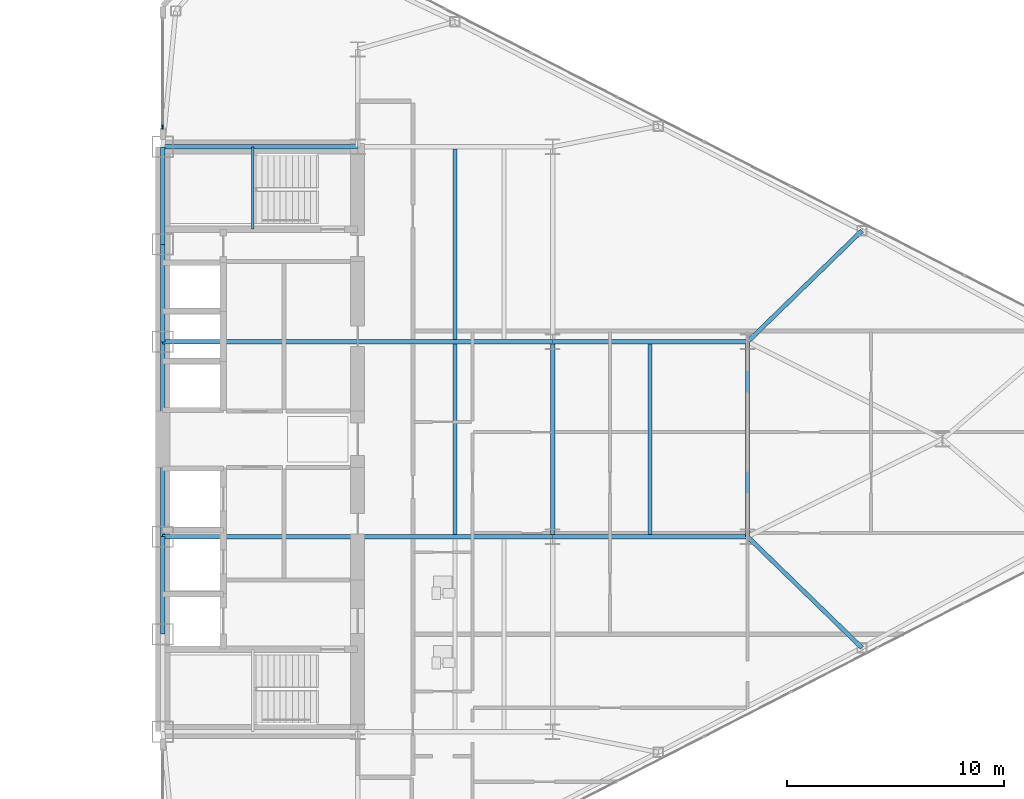
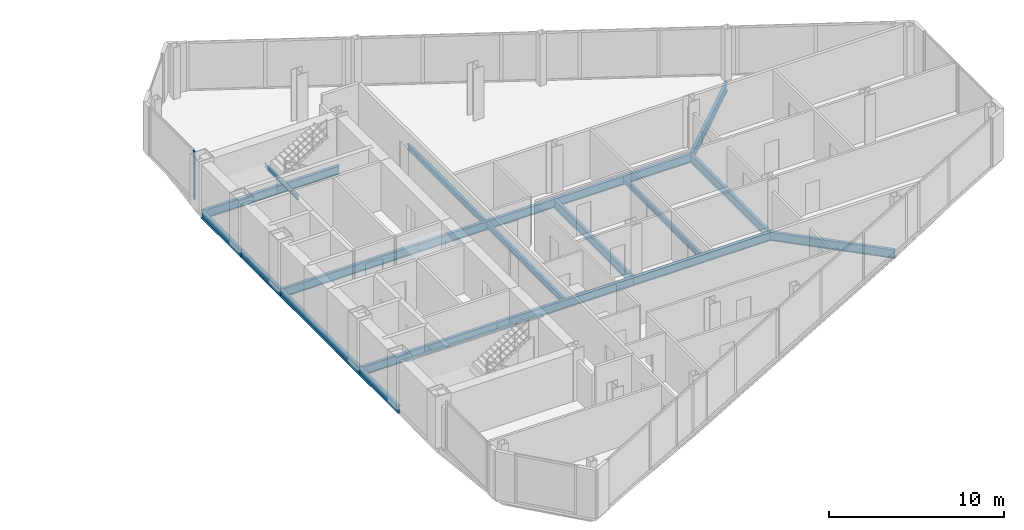
# One storey, part 10 of 23: 19 beams, 1 member, 1 element without a shape of its own.
"""IFC4 building model written with IfcOpenShell, lengths in metres."""

from ifc_helpers import new_model, si_unit, direction, frame, origin, origin_2d, place, context, subcontext, project, spatial, rectangle, i_section, extrude, source, transform, mapped, material, layer, layer_set, material_profile, profile_set, type_object, type_shapes, element, aggregate, save


model = new_model("IFC4")

# Units and contexts
model_context = context("Model", 3, precision=1e-05, world=origin(), true_north=direction((0.0, 1.0)))
body_context = subcontext(model_context, "Body", "Model", "MODEL_VIEW")
ifc_project = project(units=[si_unit("LENGTHUNIT", "METRE"), si_unit("AREAUNIT", "SQUARE_METRE"), si_unit("VOLUMEUNIT", "CUBIC_METRE"), si_unit("PLANEANGLEUNIT", "RADIAN"), si_unit("MASSUNIT", "GRAM", prefix="KILO")], contexts=[model_context])

# Site, building, storey
site_placement = place(None, origin())
site = spatial("IfcSite", under=ifc_project, at=site_placement, CompositionType="ELEMENT")
building_placement = place(site_placement, origin())
building = spatial("IfcBuilding", under=site, at=building_placement, Name="Seokmaru Belvedere", CompositionType="ELEMENT")
storey_placement = place(building_placement, frame((0.0, 0.0, 128.39990234375)))
storey = spatial("IfcBuildingStorey", under=building, at=storey_placement, Name="L34", CompositionType="ELEMENT", Elevation=128.39990234375)

# Beams
ifc_material_1 = material(Name="Steel SM355 (355 MPa)", Category="steel")
ifc_material_profile_1 = material_profile(ifc_material_1, i_section(OverallWidth=0.199951171875, OverallDepth=0.5, WebThickness=0.010009765625, FlangeThickness=0.01611328125, at=origin_2d()), Name="H-500x200x10x16")
ifc_profile_set_1 = profile_set([ifc_material_profile_1], Name="Steel SM355 (355 MPa)")
beam_type_1 = type_object("IfcBeamType", Name="Perimeter Spandrel Beam H-500", PredefinedType="SPANDREL", material=ifc_profile_set_1)
shared_shape_1 = source(origin(), body_context, "Body", "SweptSolid", [
    extrude(i_section(OverallWidth=0.199951171875, OverallDepth=0.5, WebThickness=0.010009765625, FlangeThickness=0.01611328125, at=origin_2d()), origin(), (0.0, 0.0, 1.0), 4.5),
])
for number, where, z_axis, x_axis, name in (
    (1, (27.5, -9.0, -0.469970703125), (0.0, 1.0, 0.0), (-1.0, 0.0, 0.0), "L34 E Portal Spine Spandrel 2"),
    (2, (27.5, 4.5, -0.469970703125), (0.0, 1.0, 0.0), (-1.0, 0.0, 0.0), "L34 E Portal Spine Spandrel 4"),
    (3, (27.5, 9.0, -0.469970703125), (0.0, 1.0, 0.0), (-1.0, 0.0, 0.0), "L34 E Portal Spine Spandrel 5"),
):
    element("IfcBeam", number, at=place(storey_placement, frame(where, z_axis=z_axis, x_axis=x_axis)), inside=storey, type_object=beam_type_1, Name=name, PredefinedType="SPANDREL", context=body_context, shape_type="MappedRepresentation", body=[
        mapped(shared_shape_1, transform((0.0, 0.0, 0.0), scale=1.0)),
    ])
shared_shape_2 = source(origin(), body_context, "Body", "SweptSolid", [
    extrude(i_section(OverallWidth=0.199951171875, OverallDepth=0.5, WebThickness=0.010009765625, FlangeThickness=0.01611328125, at=origin_2d()), origin(), (0.0, 0.0, 1.0), 9.0),
])
type_shapes(beam_type_1, [shared_shape_1, shared_shape_2])
beam_1_placement = place(storey_placement, frame((27.5, -4.5, -0.469970703125), z_axis=(0.0, 1.0, 0.0), x_axis=(-1.0, 0.0, 0.0)))
element("IfcBeam", 4, at=beam_1_placement, inside=storey, type_object=beam_type_1, Name="L34 E Portal Spine Spandrel 3", PredefinedType="SPANDREL", context=body_context, shape_type="MappedRepresentation", body=[
    mapped(shared_shape_2, transform((0.0, 0.0, 0.0), scale=1.0)),
])
ifc_material_profile_2 = material_profile(ifc_material_1, i_section(OverallWidth=0.199951171875, OverallDepth=0.60009765625, WebThickness=0.010986328125, FlangeThickness=0.01708984375, at=origin_2d()), Name="H-600x200x11x17")
ifc_profile_set_2 = profile_set([ifc_material_profile_2], Name="Steel SM355 (355 MPa)")
beam_type_2 = type_object("IfcBeamType", Name="Primary Floor Girder H-600", PredefinedType="BEAM", material=ifc_profile_set_2)
shared_shape_3 = source(origin(), body_context, "Body", "SweptSolid", [
    extrude(i_section(OverallWidth=0.199951171875, OverallDepth=0.60009765625, WebThickness=0.010986328125, FlangeThickness=0.01708984375, at=origin_2d()), origin(), (0.0, 0.0, 1.0), 9.0),
])
for number, where, z_axis, x_axis, name in (
    (5, (45.5, -4.5, -0.52001953125), (0.0, 1.0, 0.0), (-1.0, 0.0, 0.0), "L34 E Interior Grid Girder 2"),
    (6, (27.5, -4.5, -0.52001953125), (1.0, 0.0, 0.0), (0.0, 1.0, 0.0), "L34 E Core Tie Girder 2"),
    (7, (36.5, -4.5, -0.52001953125), (1.0, 0.0, 0.0), (0.0, 1.0, 0.0), "L34 E Wing Primary Girder 2"),
    (8, (27.5, 4.5, -0.52001953125), (1.0, 0.0, 0.0), (0.0, 1.0, 0.0), "L34 E Core Tie Girder 3"),
    (9, (36.5, 4.5, -0.52001953125), (1.0, 0.0, 0.0), (0.0, 1.0, 0.0), "L34 E Wing Primary Girder 3"),
    (10, (27.5, 13.5, -0.52001953125), (1.0, 0.0, 0.0), (0.0, 1.0, 0.0), "L34 E Core Tie Girder 4"),
    (11, (45.5, -4.5, -0.52001953125), (1.0, 0.0, 0.0), (0.0, 1.0, 0.0), "L34 E Outer Wing Girder 1"),
    (12, (45.5, 4.5, -0.52001953125), (1.0, 0.0, 0.0), (0.0, 1.0, 0.0), "L34 E Outer Wing Girder 2"),
    (13, (54.5, -4.5, -0.52001953125), (0.0, 1.0, 0.0), (-1.0, 0.0, 0.0), "L34 E Apex Frame Girder"),
):
    element("IfcBeam", number, at=place(storey_placement, frame(where, z_axis=z_axis, x_axis=x_axis)), inside=storey, type_object=beam_type_2, Name=name, PredefinedType="BEAM", context=body_context, shape_type="MappedRepresentation", body=[
        mapped(shared_shape_3, transform((0.0, 0.0, 0.0), scale=1.0)),
    ])
ifc_material_profile_3 = material_profile(ifc_material_1, i_section(OverallWidth=0.18505859375, OverallDepth=0.389892578125, WebThickness=0.008056640625, FlangeThickness=0.011962890625, at=origin_2d()), Name="H-390x185x8x12")
ifc_profile_set_3 = profile_set([ifc_material_profile_3], Name="Steel SM355 (355 MPa)")
beam_type_3 = type_object("IfcBeamType", Name="Secondary Floor Joist H-350", PredefinedType="JOIST", material=ifc_profile_set_3)
shared_shape_4 = source(origin(), body_context, "Body", "SweptSolid", [
    extrude(i_section(OverallWidth=0.18505859375, OverallDepth=0.389892578125, WebThickness=0.008056640625, FlangeThickness=0.011962890625, at=origin_2d()), origin(), (0.0, 0.0, 1.0), 8.7900390625),
])
type_shapes(beam_type_3, [shared_shape_4])
for number, where, z_axis, x_axis, name in (
    (14, (41.0, -4.39501953125, -0.414794921875), (0.0, 1.0, 0.0), (-1.0, 0.0, 0.0), "L34 E Secondary Floor Joist 2"),
    (15, (41.0, 4.60498046875, -0.414794921875), (0.0, 1.0, 0.0), (-1.0, 0.0, 0.0), "L34 E Secondary Floor Joist 3"),
    (16, (50.0, -4.39501953125, -0.414794921875), (0.0, 1.0, 0.0), (-1.0, 0.0, 0.0), "L34 E Outer Bay Secondary Joist"),
):
    element("IfcBeam", number, at=place(storey_placement, frame(where, z_axis=z_axis, x_axis=x_axis)), inside=storey, type_object=beam_type_3, Name=name, PredefinedType="JOIST", context=body_context, shape_type="MappedRepresentation", body=[
        mapped(shared_shape_4, transform((0.0, 0.0, 0.0), scale=1.0)),
    ])
shared_shape_5 = source(origin(), body_context, "Body", "SweptSolid", [
    extrude(i_section(OverallWidth=0.199951171875, OverallDepth=0.60009765625, WebThickness=0.010986328125, FlangeThickness=0.01708984375, at=origin_2d()), origin(), (0.0, 0.0, 1.0), 7.35986328125),
])
type_shapes(beam_type_2, [shared_shape_3, shared_shape_5])
for number, where, z_axis, x_axis, name in (
    (17, (59.778564453125, -9.62890625, -0.52001953125), (-0.717200745515, 0.696866623273, 0.0), (-0.696866623273, -0.717200745515, 0.0), "L34 E Flank Radial Floor Girder S-3"),
    (18, (59.778564453125, 9.62890625, -0.52001953125), (-0.717200745515, -0.696866623273, 0.0), (0.696866623273, -0.717200745515, 0.0), "L34 E Flank Radial Floor Girder N-3"),
):
    element("IfcBeam", number, at=place(storey_placement, frame(where, z_axis=z_axis, x_axis=x_axis)), inside=storey, type_object=beam_type_2, Name=name, PredefinedType="BEAM", context=body_context, shape_type="MappedRepresentation", body=[
        mapped(shared_shape_5, transform((0.0, 0.0, 0.0), scale=1.0)),
    ])

# Curtain wall, member
ifc_material_2 = material(Name="Bronze Triple Insulating Glass", Category="glass")
ifc_layer = layer(ifc_material_2, 0.195068359375)
ifc_layer_set = layer_set([ifc_layer], Name="Bronze Triple Insulating Glass")
curtain_wall_type = type_object("IfcCurtainWallType", Name="Sky-Lobby and Mid-Rise Curtain Wall System CW-4", PredefinedType="NOTDEFINED", material=ifc_layer_set)
curtain_wall_placement = place(storey_placement, origin())
curtain_wall = element("IfcCurtainWall", 19, at=curtain_wall_placement, inside=storey, type_object=curtain_wall_type, Name="L34 Curtain Wall ESP_2", PredefinedType="NOTDEFINED")
ifc_material_3 = material(Name="Anodised Bronze Aluminium", Category="aluminium")
ifc_material_profile_4 = material_profile(ifc_material_3, rectangle(XDim=0.070068359375, YDim=0.195068359375, at=origin_2d()), Name="CW-M-70x195")
ifc_profile_set_4 = profile_set([ifc_material_profile_4], Name="Anodised Bronze Aluminium")
member_type = type_object("IfcMemberType", Name="Bronze Unitised Mullion 70x195", PredefinedType="MULLION", material=ifc_profile_set_4)
shared_shape_6 = source(origin(), body_context, "Body", "SweptSolid", [
    extrude(rectangle(XDim=0.070068359375, YDim=0.195068359375, at=origin_2d()), origin(), (0.0, 0.0, 1.0), 3.380126953125),
])
type_shapes(member_type, [shared_shape_6])
member_placement = place(storey_placement, frame((27.5, 14.4150390625, 0.0), z_axis=(0.0, 0.0, 1.0), x_axis=(1.0, 0.0, 0.0)))
member = element("IfcMember", 20, at=member_placement, type_object=member_type, Name="CW:L34:ESP_2 Mullion 2", PredefinedType="MULLION", context=body_context, shape_type="MappedRepresentation", body=[
    mapped(shared_shape_6, transform((0.0, 0.0, 0.0), scale=1.0)),
])
aggregate(curtain_wall, [member])

# Beam
ifc_material_profile_5 = material_profile(ifc_material_1, i_section(OverallWidth=0.125, OverallDepth=0.25, WebThickness=0.006103515625, FlangeThickness=0.009033203125, at=origin_2d()), Name="H-250x125x6x9")
ifc_profile_set_5 = profile_set([ifc_material_profile_5], Name="Steel SM355 (355 MPa)")
beam_type_4 = type_object("IfcBeamType", Name="Stair Mid-Landing Support Beam H-250", PredefinedType="JOIST", material=ifc_profile_set_5)
shared_shape_7 = source(origin(), body_context, "Body", "SweptSolid", [
    extrude(i_section(OverallWidth=0.125, OverallDepth=0.25, WebThickness=0.006103515625, FlangeThickness=0.009033203125, at=origin_2d()), origin(), (0.0, 0.0, 1.0), 3.800048828125),
])
type_shapes(beam_type_4, [shared_shape_7])
beam_2_placement = place(storey_placement, frame((31.64990234375, 9.699951171875, 1.47509765625), z_axis=(0.0, 1.0, 0.0), x_axis=(-1.0, 0.0, 0.0)))
element("IfcBeam", 21, at=beam_2_placement, inside=storey, type_object=beam_type_4, Name="L34 Stair ST-E2 Mid-Landing Support Beam 1", PredefinedType="JOIST", context=body_context, shape_type="MappedRepresentation", body=[
    mapped(shared_shape_7, transform((0.0, 0.0, 0.0), scale=1.0)),
])

save(model, "model.ifc")
